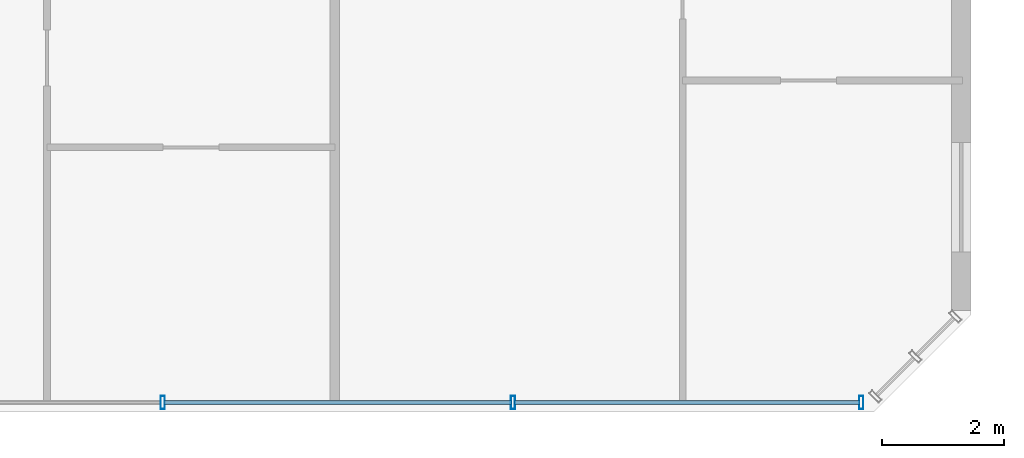
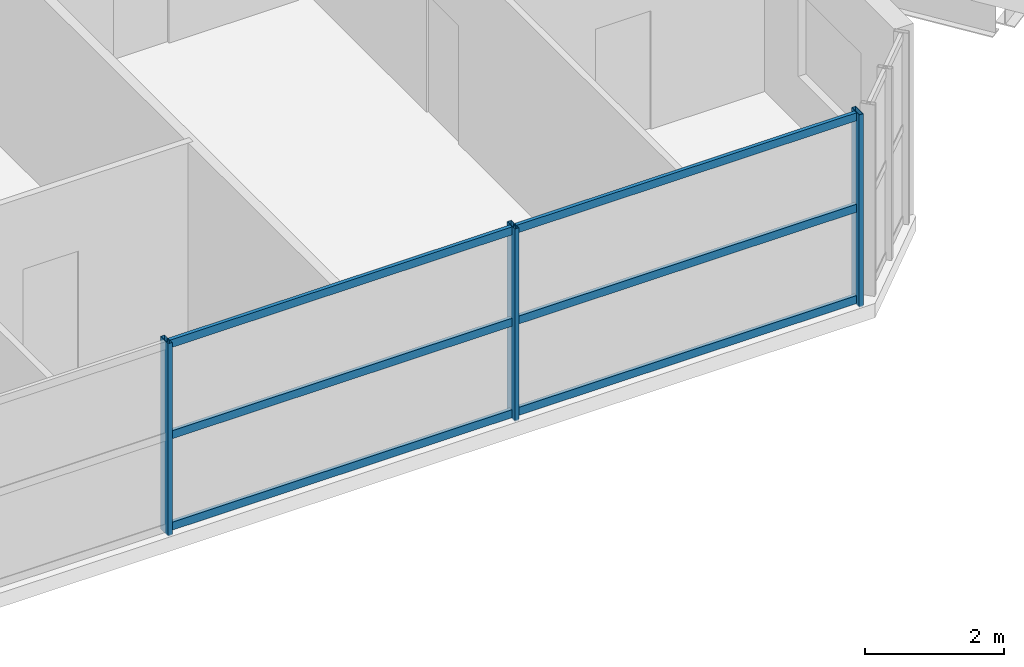
# One storey, part 7 of 24: 9 members, 1 element without a shape of its own.
"""IFC4 building model written with IfcOpenShell, lengths in metres."""

from ifc_helpers import new_model, si_unit, direction, frame, origin, origin_2d, place, context, subcontext, project, spatial, hollow_rectangle, extrude, source, transform, mapped, material, material_profile, profile_set, type_object, element, aggregate, save


model = new_model("IFC4")

# Units and contexts
model_context = context("Model", 3, precision=1e-05, world=origin(), true_north=direction((0.0, 1.0)))
body_context = subcontext(model_context, "Body", "Model", "MODEL_VIEW")
ifc_project = project(units=[si_unit("LENGTHUNIT", "METRE"), si_unit("AREAUNIT", "SQUARE_METRE"), si_unit("VOLUMEUNIT", "CUBIC_METRE"), si_unit("PLANEANGLEUNIT", "RADIAN"), si_unit("MASSUNIT", "GRAM", prefix="KILO")], contexts=[model_context])

# Site, building, storey
site_placement = place(None, origin())
site = spatial("IfcSite", under=ifc_project, at=site_placement, CompositionType="ELEMENT")
building_placement = place(site_placement, origin())
building = spatial("IfcBuilding", under=site, at=building_placement, Name="Tlacorven Tower", CompositionType="ELEMENT")
storey_placement = place(building_placement, frame((0.0, 0.0, 31.199951171875)))
storey = spatial("IfcBuildingStorey", under=building, at=storey_placement, Name="L07", CompositionType="ELEMENT", Elevation=31.199951171875)

# Curtain wall, members
ifc_material_1 = material(Name="Dark solar low-E double glazing in aluminium frame", Category="aluminium")
curtain_wall_type = type_object("IfcCurtainWallType", Name="CW-TWR-LOW", PredefinedType="USERDEFINED", material=ifc_material_1)
curtain_wall_placement = place(storey_placement, origin())
curtain_wall = element("IfcCurtainWall", 1, at=curtain_wall_placement, inside=storey, type_object=curtain_wall_type, Name="L07 CW-TWR-LOW Curtain Wall 34", ObjectType="UNITISED CURTAIN WALL", PredefinedType="USERDEFINED")
ifc_material_2 = material(Name="Aluminium 6063-T6 anodised", Category="aluminium")
ifc_material_profile_1 = material_profile(ifc_material_2, hollow_rectangle(XDim=0.070068359375, YDim=0.219970703125, WallThickness=0.0048828125, at=origin_2d()), Name="ALU MULLION 70X220")
ifc_profile_set_1 = profile_set([ifc_material_profile_1], Name="Aluminium 6063-T6 anodised")
member_type_1 = type_object("IfcMemberType", Name="CWM-01", PredefinedType="MULLION", material=ifc_profile_set_1)
shared_shape_1 = source(origin(), body_context, "Body", "SweptSolid", [
    extrude(hollow_rectangle(XDim=0.070068359375, YDim=0.219970703125, WallThickness=0.0048828125, at=origin_2d()), origin(), (0.0, 0.0, 1.0), 3.380126953125),
])
member_1_placement = place(storey_placement, frame((50.5986328125, 1.9599609375, -0.02001953125), z_axis=(0.0, 0.0, 1.0), x_axis=(-1.0, 0.0, 0.0)))
member_1 = element("IfcMember", 2, at=member_1_placement, type_object=member_type_1, Name="CW-L07-034 Mullion 1", PredefinedType="MULLION", context=body_context, shape_type="MappedRepresentation", body=[
    mapped(shared_shape_1, transform((0.0, 0.0, 0.0), scale=1.0)),
])
member_2_placement = place(storey_placement, frame((44.8779296875, 1.9599609375, -0.02001953125), z_axis=(0.0, 0.0, 1.0), x_axis=(-1.0, 0.0, 0.0)))
member_2 = element("IfcMember", 3, at=member_2_placement, type_object=member_type_1, Name="CW-L07-034 Mullion 2", PredefinedType="MULLION", context=body_context, shape_type="MappedRepresentation", body=[
    mapped(shared_shape_1, transform((0.0, 0.0, 0.0), scale=1.0)),
])
member_3_placement = place(storey_placement, frame((39.1220703125, 1.9599609375, -0.02001953125), z_axis=(0.0, 0.0, 1.0), x_axis=(-1.0, 0.0, 0.0)))
member_3 = element("IfcMember", 4, at=member_3_placement, type_object=member_type_1, Name="CW-L07-034 Mullion 3", PredefinedType="MULLION", context=body_context, shape_type="MappedRepresentation", body=[
    mapped(shared_shape_1, transform((0.0, 0.0, 0.0), scale=1.0)),
])
ifc_material_profile_2 = material_profile(ifc_material_2, hollow_rectangle(XDim=0.06005859375, YDim=0.139892578125, WallThickness=0.00390625, at=origin_2d()), Name="ALU TRANSOM 60X140")
ifc_profile_set_2 = profile_set([ifc_material_profile_2], Name="Aluminium 6063-T6 anodised")
member_type_2 = type_object("IfcMemberType", Name="CWT-02", PredefinedType="USERDEFINED", material=ifc_profile_set_2)
shared_shape_2 = source(origin(), body_context, "Body", "SweptSolid", [
    extrude(hollow_rectangle(XDim=0.06005859375, YDim=0.139892578125, WallThickness=0.00390625, at=origin_2d()), origin(), (0.0, 0.0, 1.0), 5.6748046875),
])
member_4_placement = place(storey_placement, frame((50.57568359375, 1.9599609375, 0.070068359375), z_axis=(-1.0, 0.0, 0.0), x_axis=(0.0, -1.0, 0.0)))
member_4 = element("IfcMember", 5, at=member_4_placement, type_object=member_type_2, Name="CW-L07-034 Transom 1", ObjectType="TRANSOM", PredefinedType="USERDEFINED", context=body_context, shape_type="MappedRepresentation", body=[
    mapped(shared_shape_2, transform((0.0, 0.0, 0.0), scale=1.0)),
])
member_5_placement = place(storey_placement, frame((50.57568359375, 1.9599609375, 1.675048828125), z_axis=(-1.0, 0.0, 0.0), x_axis=(0.0, -1.0, 0.0)))
member_5 = element("IfcMember", 6, at=member_5_placement, type_object=member_type_2, Name="CW-L07-034 Transom 2", ObjectType="TRANSOM", PredefinedType="USERDEFINED", context=body_context, shape_type="MappedRepresentation", body=[
    mapped(shared_shape_2, transform((0.0, 0.0, 0.0), scale=1.0)),
])
member_6_placement = place(storey_placement, frame((50.57568359375, 1.9599609375, 3.280029296875), z_axis=(-1.0, 0.0, 0.0), x_axis=(0.0, -1.0, 0.0)))
member_6 = element("IfcMember", 7, at=member_6_placement, type_object=member_type_2, Name="CW-L07-034 Transom 3", ObjectType="TRANSOM", PredefinedType="USERDEFINED", context=body_context, shape_type="MappedRepresentation", body=[
    mapped(shared_shape_2, transform((0.0, 0.0, 0.0), scale=1.0)),
])
shared_shape_3 = source(origin(), body_context, "Body", "SweptSolid", [
    extrude(hollow_rectangle(XDim=0.06005859375, YDim=0.139892578125, WallThickness=0.00390625, at=origin_2d()), origin(), (0.0, 0.0, 1.0), 5.7099609375),
])
member_7_placement = place(storey_placement, frame((44.85498046875, 1.9599609375, 0.070068359375), z_axis=(-1.0, 0.0, 0.0), x_axis=(0.0, -1.0, 0.0)))
member_7 = element("IfcMember", 8, at=member_7_placement, type_object=member_type_2, Name="CW-L07-034 Transom 4", ObjectType="TRANSOM", PredefinedType="USERDEFINED", context=body_context, shape_type="MappedRepresentation", body=[
    mapped(shared_shape_3, transform((0.0, 0.0, 0.0), scale=1.0)),
])
member_8_placement = place(storey_placement, frame((44.85498046875, 1.9599609375, 1.675048828125), z_axis=(-1.0, 0.0, 0.0), x_axis=(0.0, -1.0, 0.0)))
member_8 = element("IfcMember", 9, at=member_8_placement, type_object=member_type_2, Name="CW-L07-034 Transom 5", ObjectType="TRANSOM", PredefinedType="USERDEFINED", context=body_context, shape_type="MappedRepresentation", body=[
    mapped(shared_shape_3, transform((0.0, 0.0, 0.0), scale=1.0)),
])
member_9_placement = place(storey_placement, frame((44.85498046875, 1.9599609375, 3.280029296875), z_axis=(-1.0, 0.0, 0.0), x_axis=(0.0, -1.0, 0.0)))
member_9 = element("IfcMember", 10, at=member_9_placement, type_object=member_type_2, Name="CW-L07-034 Transom 6", ObjectType="TRANSOM", PredefinedType="USERDEFINED", context=body_context, shape_type="MappedRepresentation", body=[
    mapped(shared_shape_3, transform((0.0, 0.0, 0.0), scale=1.0)),
])
aggregate(curtain_wall, [member_1, member_2, member_3, member_4, member_5, member_6, member_7, member_8, member_9])

save(model, "model.ifc")
